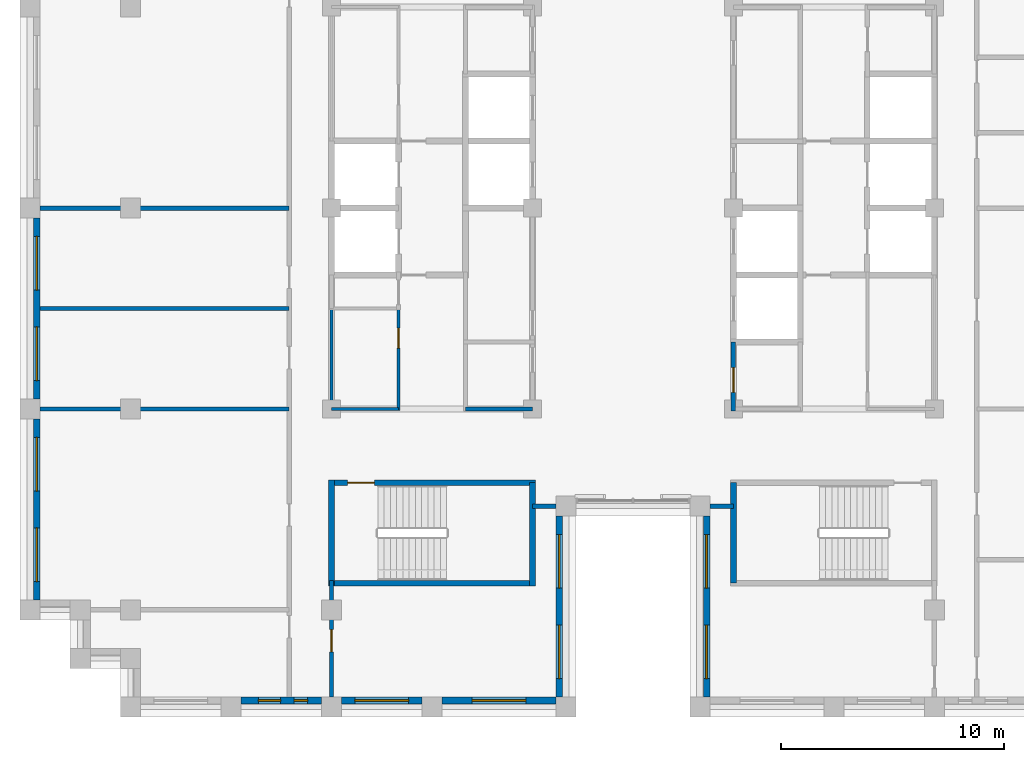
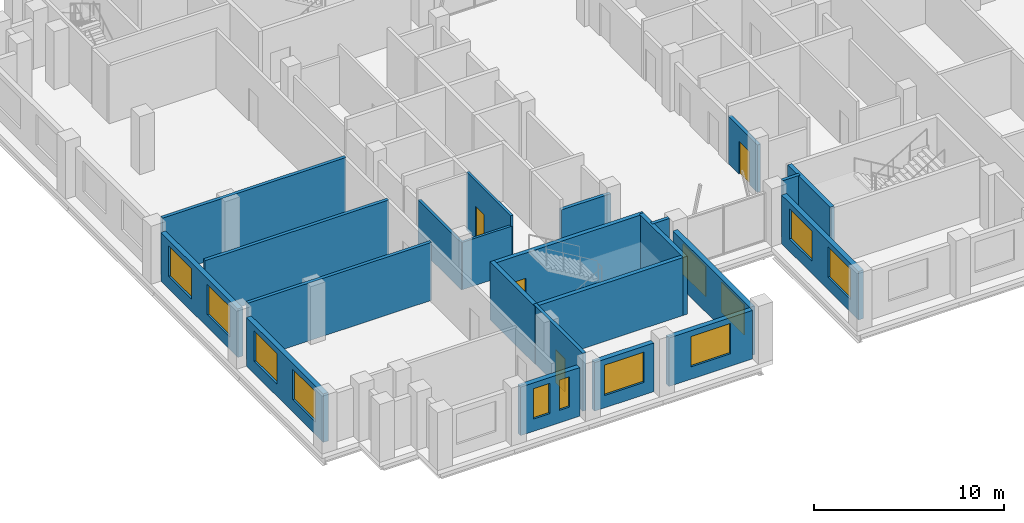
# One storey, part 6 of 13: 23 walls, 12 windows, 4 doors, 16 openings.
"""IFC4 building model written with IfcOpenShell, lengths in metres."""

from ifc_helpers import new_model, si_unit, direction, frame, frame_2d, origin, place, context, subcontext, project, spatial, rectangle, extrude, material, layer, layer_set, type_object, element, fill, save


model = new_model("IFC4")

# Units and contexts
model_context = context("Model", 3, precision=1e-05, world=origin(), true_north=direction((0.0, 1.0)))
body_context = subcontext(model_context, "Body", "Model", "MODEL_VIEW")
ifc_project = project(units=[si_unit("LENGTHUNIT", "METRE"), si_unit("AREAUNIT", "SQUARE_METRE"), si_unit("VOLUMEUNIT", "CUBIC_METRE"), si_unit("PLANEANGLEUNIT", "RADIAN"), si_unit("MASSUNIT", "GRAM", prefix="KILO")], contexts=[model_context])

# Site, building, storey
site_placement = place(None, origin())
site = spatial("IfcSite", under=ifc_project, at=site_placement, CompositionType="ELEMENT")
building_placement = place(site_placement, origin())
building = spatial("IfcBuilding", under=site, at=building_placement, Name="Corbelhall Arena Tower", CompositionType="ELEMENT")
storey_placement = place(building_placement, frame((0.0, 0.0, 286.0)))
storey = spatial("IfcBuildingStorey", under=building, at=storey_placement, Name="L62", CompositionType="ELEMENT", Elevation=286.0)

# Wall, openings, windows
ifc_material_1 = material(Name="Precast concrete C40/50 with granite facing", Category="masonry")
ifc_layer_1 = layer(ifc_material_1, 0.300048828125)
ifc_layer_set_1 = layer_set([ifc_layer_1], Name="EV-IW1 Infill panel 300")
wall_type_1 = type_object("IfcWallType", Name="EV-IW1 Infill panel 300", PredefinedType="SOLIDWALL", material=ifc_layer_set_1)
wall_1_placement = place(storey_placement, frame((-26.699951171875, -0.449951171875, 0.0), z_axis=(0.0, 0.0, 1.0), x_axis=(0.0, -1.0, 0.0)))
wall_1 = element("IfcWall", 1, at=wall_1_placement, inside=storey, type_object=wall_type_1, Name="Infill panel IW1", PredefinedType="SOLIDWALL", context=body_context, shape_type="SweptSolid", body=[
    extrude(rectangle(XDim=8.10009765625, YDim=0.300048828125, at=frame_2d((4.050048828125, 0.0))), origin(), (0.0, 0.0, 1.0), 3.1201171875),
])
opening_1_placement = place(wall_1_placement, frame((0.824951171875, 0.0, 0.800048828125)))
opening_1 = element("IfcOpeningElement", 2, at=opening_1_placement, cuts=wall_1, Name="Opening WN1", PredefinedType="OPENING", context=body_context, shape_type="SweptSolid", body=[
    extrude(rectangle(XDim=2.39990234375, YDim=1.949951171875, at=frame_2d((1.199951171875, 0.97509765625))), frame((0.0, 0.14990234375, 0.0), z_axis=(0.0, -1.0, 0.0), x_axis=(1.0, 0.0, 0.0)), (0.0, 0.0, 1.0), 0.300048828125),
])
opening_2_placement = place(wall_1_placement, frame((4.875, 0.0, 0.800048828125)))
opening_2 = element("IfcOpeningElement", 3, at=opening_2_placement, cuts=wall_1, Name="Opening WN1", PredefinedType="OPENING", context=body_context, shape_type="SweptSolid", body=[
    extrude(rectangle(XDim=2.39990234375, YDim=1.949951171875, at=frame_2d((1.199951171875, 0.97509765625))), frame((0.0, 0.14990234375, 0.0), z_axis=(0.0, -1.0, 0.0), x_axis=(1.0, 0.0, 0.0)), (0.0, 0.0, 1.0), 0.300048828125),
])
ifc_material_2 = material(Name="Aluminium black anodised", Category="aluminium")
window_type_1 = type_object("IfcWindowType", Name="EV-WN1 Office window", PartitioningType="SINGLE_PANEL", PredefinedType="WINDOW", material=ifc_material_2)
window_1_placement = place(opening_1_placement, origin())
window_1 = element("IfcWindow", 4, at=window_1_placement, inside=storey, type_object=window_type_1, Name="Window WN1", OverallHeight=1.949951171875, OverallWidth=2.39990234375, PartitioningType="SINGLE_PANEL", PredefinedType="WINDOW", context=body_context, shape_type="SweptSolid", body=[
    extrude(rectangle(XDim=2.39990234375, YDim=1.949951171875, at=frame_2d((1.199951171875, 0.97509765625))), frame((0.0, 0.030029296875, 0.0), z_axis=(0.0, -1.0, 0.0), x_axis=(1.0, 0.0, 0.0)), (0.0, 0.0, 1.0), 0.06005859375),
])
fill(opening_1, window_1)
window_2_placement = place(opening_2_placement, origin())
window_2 = element("IfcWindow", 5, at=window_2_placement, inside=storey, type_object=window_type_1, Name="Window WN1", OverallHeight=1.949951171875, OverallWidth=2.39990234375, PartitioningType="SINGLE_PANEL", PredefinedType="WINDOW", context=body_context, shape_type="SweptSolid", body=[
    extrude(rectangle(XDim=2.39990234375, YDim=1.949951171875, at=frame_2d((1.199951171875, 0.97509765625))), frame((0.0, 0.030029296875, 0.0), z_axis=(0.0, -1.0, 0.0), x_axis=(1.0, 0.0, 0.0)), (0.0, 0.0, 1.0), 0.06005859375),
])
fill(opening_2, window_2)

wall_2_placement = place(storey_placement, frame((-26.699951171875, -9.449951171875, 0.0), z_axis=(0.0, 0.0, 1.0), x_axis=(0.0, -1.0, 0.0)))
wall_2 = element("IfcWall", 6, at=wall_2_placement, inside=storey, type_object=wall_type_1, Name="Infill panel IW1", PredefinedType="SOLIDWALL", context=body_context, shape_type="SweptSolid", body=[
    extrude(rectangle(XDim=8.10009765625, YDim=0.300048828125, at=frame_2d((4.050048828125, 0.0))), origin(), (0.0, 0.0, 1.0), 3.1201171875),
])
opening_3_placement = place(wall_2_placement, frame((0.824951171875, 0.0, 0.800048828125)))
opening_3 = element("IfcOpeningElement", 7, at=opening_3_placement, cuts=wall_2, Name="Opening WN1", PredefinedType="OPENING", context=body_context, shape_type="SweptSolid", body=[
    extrude(rectangle(XDim=2.39990234375, YDim=1.949951171875, at=frame_2d((1.199951171875, 0.97509765625))), frame((0.0, 0.14990234375, 0.0), z_axis=(0.0, -1.0, 0.0), x_axis=(1.0, 0.0, 0.0)), (0.0, 0.0, 1.0), 0.300048828125),
])
opening_4_placement = place(wall_2_placement, frame((4.875, 0.0, 0.800048828125)))
opening_4 = element("IfcOpeningElement", 8, at=opening_4_placement, cuts=wall_2, Name="Opening WN1", PredefinedType="OPENING", context=body_context, shape_type="SweptSolid", body=[
    extrude(rectangle(XDim=2.39990234375, YDim=1.949951171875, at=frame_2d((1.199951171875, 0.97509765625))), frame((0.0, 0.14990234375, 0.0), z_axis=(0.0, -1.0, 0.0), x_axis=(1.0, 0.0, 0.0)), (0.0, 0.0, 1.0), 0.300048828125),
])
window_3_placement = place(opening_3_placement, origin())
window_3 = element("IfcWindow", 9, at=window_3_placement, inside=storey, type_object=window_type_1, Name="Window WN1", OverallHeight=1.949951171875, OverallWidth=2.39990234375, PartitioningType="SINGLE_PANEL", PredefinedType="WINDOW", context=body_context, shape_type="SweptSolid", body=[
    extrude(rectangle(XDim=2.39990234375, YDim=1.949951171875, at=frame_2d((1.199951171875, 0.97509765625))), frame((0.0, 0.030029296875, 0.0), z_axis=(0.0, -1.0, 0.0), x_axis=(1.0, 0.0, 0.0)), (0.0, 0.0, 1.0), 0.06005859375),
])
fill(opening_3, window_3)
window_4_placement = place(opening_4_placement, origin())
window_4 = element("IfcWindow", 10, at=window_4_placement, inside=storey, type_object=window_type_1, Name="Window WN1", OverallHeight=1.949951171875, OverallWidth=2.39990234375, PartitioningType="SINGLE_PANEL", PredefinedType="WINDOW", context=body_context, shape_type="SweptSolid", body=[
    extrude(rectangle(XDim=2.39990234375, YDim=1.949951171875, at=frame_2d((1.199951171875, 0.97509765625))), frame((0.0, 0.030029296875, 0.0), z_axis=(0.0, -1.0, 0.0), x_axis=(1.0, 0.0, 0.0)), (0.0, 0.0, 1.0), 0.06005859375),
])
fill(opening_4, window_4)

wall_3_placement = place(storey_placement, frame((-17.550048828125, -22.050048828125, 0.0), z_axis=(0.0, 0.0, 1.0), x_axis=(1.0, 0.0, 0.0)))
wall_3 = element("IfcWall", 11, at=wall_3_placement, inside=storey, type_object=wall_type_1, Name="Infill panel IW1", PredefinedType="SOLIDWALL", context=body_context, shape_type="SweptSolid", body=[
    extrude(rectangle(XDim=3.60009765625, YDim=0.300048828125, at=frame_2d((1.800048828125, 0.0))), origin(), (0.0, 0.0, 1.0), 3.1201171875),
])
opening_5_placement = place(wall_3_placement, frame((0.77490234375, 0.0, 0.800048828125)))
opening_5 = element("IfcOpeningElement", 12, at=opening_5_placement, cuts=wall_3, Name="Opening WN6", PredefinedType="OPENING", context=body_context, shape_type="SweptSolid", body=[
    extrude(rectangle(XDim=1.0, YDim=1.949951171875, at=frame_2d((0.5, 0.97509765625))), frame((0.0, 0.14990234375, 0.0), z_axis=(0.0, -1.0, 0.0), x_axis=(1.0, 0.0, 0.0)), (0.0, 0.0, 1.0), 0.300048828125),
])
opening_6_placement = place(wall_3_placement, frame((2.375, 0.0, 0.800048828125)))
opening_6 = element("IfcOpeningElement", 13, at=opening_6_placement, cuts=wall_3, Name="Opening WN5", PredefinedType="OPENING", context=body_context, shape_type="SweptSolid", body=[
    extrude(rectangle(XDim=0.60009765625, YDim=1.949951171875, at=frame_2d((0.300048828125, 0.97509765625))), frame((0.0, 0.14990234375, 0.0), z_axis=(0.0, -1.0, 0.0), x_axis=(1.0, 0.0, 0.0)), (0.0, 0.0, 1.0), 0.300048828125),
])
window_type_2 = type_object("IfcWindowType", Name="EV-WN5 Office window 600", PartitioningType="SINGLE_PANEL", PredefinedType="WINDOW", material=ifc_material_2)
window_5_placement = place(opening_6_placement, origin())
window_5 = element("IfcWindow", 14, at=window_5_placement, inside=storey, type_object=window_type_2, Name="Window WN5", OverallHeight=1.949951171875, OverallWidth=0.60009765625, PartitioningType="SINGLE_PANEL", PredefinedType="WINDOW", context=body_context, shape_type="SweptSolid", body=[
    extrude(rectangle(XDim=0.60009765625, YDim=1.949951171875, at=frame_2d((0.300048828125, 0.97509765625))), frame((0.0, 0.030029296875, 0.0), z_axis=(0.0, -1.0, 0.0), x_axis=(1.0, 0.0, 0.0)), (0.0, 0.0, 1.0), 0.06005859375),
])
fill(opening_6, window_5)
window_type_3 = type_object("IfcWindowType", Name="EV-WN6 Office window 1000", PartitioningType="SINGLE_PANEL", PredefinedType="WINDOW", material=ifc_material_2)
window_6_placement = place(opening_5_placement, origin())
window_6 = element("IfcWindow", 15, at=window_6_placement, inside=storey, type_object=window_type_3, Name="Window WN6", OverallHeight=1.949951171875, OverallWidth=1.0, PartitioningType="SINGLE_PANEL", PredefinedType="WINDOW", context=body_context, shape_type="SweptSolid", body=[
    extrude(rectangle(XDim=1.0, YDim=1.949951171875, at=frame_2d((0.5, 0.97509765625))), frame((0.0, 0.030029296875, 0.0), z_axis=(0.0, -1.0, 0.0), x_axis=(1.0, 0.0, 0.0)), (0.0, 0.0, 1.0), 0.06005859375),
])
fill(opening_5, window_6)

# Wall, opening, window
wall_4_placement = place(storey_placement, frame((-13.050048828125, -22.050048828125, 0.0), z_axis=(0.0, 0.0, 1.0), x_axis=(1.0, 0.0, 0.0)))
wall_4 = element("IfcWall", 16, at=wall_4_placement, inside=storey, type_object=wall_type_1, Name="Infill panel IW1", PredefinedType="SOLIDWALL", context=body_context, shape_type="SweptSolid", body=[
    extrude(rectangle(XDim=3.60009765625, YDim=0.300048828125, at=frame_2d((1.800048828125, 0.0))), origin(), (0.0, 0.0, 1.0), 3.1201171875),
])
opening_7_placement = place(wall_4_placement, frame((0.60009765625, 0.0, 0.800048828125)))
opening_7 = element("IfcOpeningElement", 17, at=opening_7_placement, cuts=wall_4, Name="Opening WN1", PredefinedType="OPENING", context=body_context, shape_type="SweptSolid", body=[
    extrude(rectangle(XDim=2.39990234375, YDim=1.949951171875, at=frame_2d((1.199951171875, 0.97509765625))), frame((0.0, 0.14990234375, 0.0), z_axis=(0.0, -1.0, 0.0), x_axis=(1.0, 0.0, 0.0)), (0.0, 0.0, 1.0), 0.300048828125),
])
window_7_placement = place(opening_7_placement, origin())
window_7 = element("IfcWindow", 18, at=window_7_placement, inside=storey, type_object=window_type_1, Name="Window WN1", OverallHeight=1.949951171875, OverallWidth=2.39990234375, PartitioningType="SINGLE_PANEL", PredefinedType="WINDOW", context=body_context, shape_type="SweptSolid", body=[
    extrude(rectangle(XDim=2.39990234375, YDim=1.949951171875, at=frame_2d((1.199951171875, 0.97509765625))), frame((0.0, 0.030029296875, 0.0), z_axis=(0.0, -1.0, 0.0), x_axis=(1.0, 0.0, 0.0)), (0.0, 0.0, 1.0), 0.06005859375),
])
fill(opening_7, window_7)

wall_5_placement = place(storey_placement, frame((-8.550048828125, -22.050048828125, 0.0), z_axis=(0.0, 0.0, 1.0), x_axis=(1.0, 0.0, 0.0)))
wall_5 = element("IfcWall", 19, at=wall_5_placement, inside=storey, type_object=wall_type_1, Name="Infill panel IW1", PredefinedType="SOLIDWALL", context=body_context, shape_type="SweptSolid", body=[
    extrude(rectangle(XDim=5.10009765625, YDim=0.300048828125, at=frame_2d((2.550048828125, 0.0))), origin(), (0.0, 0.0, 1.0), 3.1201171875),
])
opening_8_placement = place(wall_5_placement, frame((1.35009765625, 0.0, 0.800048828125)))
opening_8 = element("IfcOpeningElement", 20, at=opening_8_placement, cuts=wall_5, Name="Opening WN1", PredefinedType="OPENING", context=body_context, shape_type="SweptSolid", body=[
    extrude(rectangle(XDim=2.39990234375, YDim=1.949951171875, at=frame_2d((1.199951171875, 0.97509765625))), frame((0.0, 0.14990234375, 0.0), z_axis=(0.0, -1.0, 0.0), x_axis=(1.0, 0.0, 0.0)), (0.0, 0.0, 1.0), 0.300048828125),
])
window_8_placement = place(opening_8_placement, origin())
window_8 = element("IfcWindow", 21, at=window_8_placement, inside=storey, type_object=window_type_1, Name="Window WN1", OverallHeight=1.949951171875, OverallWidth=2.39990234375, PartitioningType="SINGLE_PANEL", PredefinedType="WINDOW", context=body_context, shape_type="SweptSolid", body=[
    extrude(rectangle(XDim=2.39990234375, YDim=1.949951171875, at=frame_2d((1.199951171875, 0.97509765625))), frame((0.0, 0.030029296875, 0.0), z_axis=(0.0, -1.0, 0.0), x_axis=(1.0, 0.0, 0.0)), (0.0, 0.0, 1.0), 0.06005859375),
])
fill(opening_8, window_8)

# Wall, openings, windows
wall_6_placement = place(storey_placement, frame((-3.300048828125, -21.89990234375, 0.0), z_axis=(0.0, 0.0, 1.0), x_axis=(0.0, 1.0, 0.0)))
wall_6 = element("IfcWall", 22, at=wall_6_placement, inside=storey, type_object=wall_type_1, Name="Infill panel IW1", PredefinedType="SOLIDWALL", context=body_context, shape_type="SweptSolid", body=[
    extrude(rectangle(XDim=8.099853515625, YDim=0.300048828125, at=frame_2d((4.0498046875, 0.0))), origin(), (0.0, 0.0, 1.0), 3.1201171875),
])
opening_9_placement = place(wall_6_placement, frame((0.824951171875, 0.0, 0.800048828125)))
opening_9 = element("IfcOpeningElement", 23, at=opening_9_placement, cuts=wall_6, Name="Opening WN1", PredefinedType="OPENING", context=body_context, shape_type="SweptSolid", body=[
    extrude(rectangle(XDim=2.39990234375, YDim=1.949951171875, at=frame_2d((1.199951171875, 0.97509765625))), frame((0.0, 0.14990234375, 0.0), z_axis=(0.0, -1.0, 0.0), x_axis=(1.0, 0.0, 0.0)), (0.0, 0.0, 1.0), 0.300048828125),
])
opening_10_placement = place(wall_6_placement, frame((4.875, 0.0, 0.800048828125)))
opening_10 = element("IfcOpeningElement", 24, at=opening_10_placement, cuts=wall_6, Name="Opening WN1", PredefinedType="OPENING", context=body_context, shape_type="SweptSolid", body=[
    extrude(rectangle(XDim=2.39990234375, YDim=1.949951171875, at=frame_2d((1.199951171875, 0.97509765625))), frame((0.0, 0.14990234375, 0.0), z_axis=(0.0, -1.0, 0.0), x_axis=(1.0, 0.0, 0.0)), (0.0, 0.0, 1.0), 0.300048828125),
])
window_9_placement = place(opening_9_placement, origin())
window_9 = element("IfcWindow", 25, at=window_9_placement, inside=storey, type_object=window_type_1, Name="Window WN1", OverallHeight=1.949951171875, OverallWidth=2.39990234375, PartitioningType="SINGLE_PANEL", PredefinedType="WINDOW", context=body_context, shape_type="SweptSolid", body=[
    extrude(rectangle(XDim=2.39990234375, YDim=1.949951171875, at=frame_2d((1.199951171875, 0.97509765625))), frame((0.0, 0.030029296875, 0.0), z_axis=(0.0, -1.0, 0.0), x_axis=(1.0, 0.0, 0.0)), (0.0, 0.0, 1.0), 0.06005859375),
])
fill(opening_9, window_9)
window_10_placement = place(opening_10_placement, origin())
window_10 = element("IfcWindow", 26, at=window_10_placement, inside=storey, type_object=window_type_1, Name="Window WN1", OverallHeight=1.949951171875, OverallWidth=2.39990234375, PartitioningType="SINGLE_PANEL", PredefinedType="WINDOW", context=body_context, shape_type="SweptSolid", body=[
    extrude(rectangle(XDim=2.39990234375, YDim=1.949951171875, at=frame_2d((1.199951171875, 0.97509765625))), frame((0.0, 0.030029296875, 0.0), z_axis=(0.0, -1.0, 0.0), x_axis=(1.0, 0.0, 0.0)), (0.0, 0.0, 1.0), 0.06005859375),
])
fill(opening_10, window_10)

wall_7_placement = place(storey_placement, frame((3.300048828125, -13.800048828125, 0.0), z_axis=(0.0, 0.0, 1.0), x_axis=(0.0, -1.0, 0.0)))
wall_7 = element("IfcWall", 27, at=wall_7_placement, inside=storey, type_object=wall_type_1, Name="Infill panel IW1", PredefinedType="SOLIDWALL", context=body_context, shape_type="SweptSolid", body=[
    extrude(rectangle(XDim=8.099853515625, YDim=0.300048828125, at=frame_2d((4.0498046875, 0.0))), origin(), (0.0, 0.0, 1.0), 3.1201171875),
])
opening_11_placement = place(wall_7_placement, frame((0.824951171875, 0.0, 0.800048828125)))
opening_11 = element("IfcOpeningElement", 28, at=opening_11_placement, cuts=wall_7, Name="Opening WN1", PredefinedType="OPENING", context=body_context, shape_type="SweptSolid", body=[
    extrude(rectangle(XDim=2.39990234375, YDim=1.949951171875, at=frame_2d((1.199951171875, 0.97509765625))), frame((0.0, 0.14990234375, 0.0), z_axis=(0.0, -1.0, 0.0), x_axis=(1.0, 0.0, 0.0)), (0.0, 0.0, 1.0), 0.300048828125),
])
opening_12_placement = place(wall_7_placement, frame((4.875, 0.0, 0.800048828125)))
opening_12 = element("IfcOpeningElement", 29, at=opening_12_placement, cuts=wall_7, Name="Opening WN1", PredefinedType="OPENING", context=body_context, shape_type="SweptSolid", body=[
    extrude(rectangle(XDim=2.39990234375, YDim=1.949951171875, at=frame_2d((1.199951171875, 0.97509765625))), frame((0.0, 0.14990234375, 0.0), z_axis=(0.0, -1.0, 0.0), x_axis=(1.0, 0.0, 0.0)), (0.0, 0.0, 1.0), 0.300048828125),
])
window_11_placement = place(opening_11_placement, origin())
window_11 = element("IfcWindow", 30, at=window_11_placement, inside=storey, type_object=window_type_1, Name="Window WN1", OverallHeight=1.949951171875, OverallWidth=2.39990234375, PartitioningType="SINGLE_PANEL", PredefinedType="WINDOW", context=body_context, shape_type="SweptSolid", body=[
    extrude(rectangle(XDim=2.39990234375, YDim=1.949951171875, at=frame_2d((1.199951171875, 0.97509765625))), frame((0.0, 0.030029296875, 0.0), z_axis=(0.0, -1.0, 0.0), x_axis=(1.0, 0.0, 0.0)), (0.0, 0.0, 1.0), 0.06005859375),
])
fill(opening_11, window_11)
window_12_placement = place(opening_12_placement, origin())
window_12 = element("IfcWindow", 31, at=window_12_placement, inside=storey, type_object=window_type_1, Name="Window WN1", OverallHeight=1.949951171875, OverallWidth=2.39990234375, PartitioningType="SINGLE_PANEL", PredefinedType="WINDOW", context=body_context, shape_type="SweptSolid", body=[
    extrude(rectangle(XDim=2.39990234375, YDim=1.949951171875, at=frame_2d((1.199951171875, 0.97509765625))), frame((0.0, 0.030029296875, 0.0), z_axis=(0.0, -1.0, 0.0), x_axis=(1.0, 0.0, 0.0)), (0.0, 0.0, 1.0), 0.06005859375),
])
fill(opening_12, window_12)

# Walls
ifc_material_3 = material(Name="Gypsum board on steel stud, acoustic", Category="steel")
ifc_layer_2 = layer(ifc_material_3, 0.199951171875)
ifc_layer_set_2 = layer_set([ifc_layer_2], Name="IN-W-DM200")
wall_type_2 = type_object("IfcWallType", Name="IN-W-DM200", PredefinedType="PARTITIONING", material=ifc_layer_set_2)
for number, where, z_axis, x_axis, name in (
    (32, (-26.550048828125, -9.0, 0.0), (0.0, 0.0, 1.0), (1.0, 0.0, 0.0), "Partition 001"),
    (33, (-26.550048828125, -4.5, 0.0), (0.0, 0.0, 1.0), (1.0, 0.0, 0.0), "Partition 002"),
    (34, (-15.39990234375, 0.0, 0.0), (0.0, 0.0, 1.0), (-1.0, 0.0, 0.0), "Partition 006"),
):
    element("IfcWall", number, at=place(storey_placement, frame(where, z_axis=z_axis, x_axis=x_axis)), inside=storey, type_object=wall_type_2, Name=name, PredefinedType="PARTITIONING", context=body_context, shape_type="SweptSolid", body=[
        extrude(rectangle(XDim=11.150146484375, YDim=0.199951171875, at=frame_2d((5.5751953125, 0.0))), origin(), (0.0, 0.0, 1.0), 3.719970703125),
    ])

# Wall, opening, door
wall_8_placement = place(storey_placement, frame((-13.5, -16.675048828125, 0.0), z_axis=(0.0, 0.0, 1.0), x_axis=(0.0, -1.0, 0.0)))
wall_8 = element("IfcWall", 35, at=wall_8_placement, inside=storey, type_object=wall_type_2, Name="Partition 008", PredefinedType="PARTITIONING", context=body_context, shape_type="SweptSolid", body=[
    extrude(rectangle(XDim=5.224853515625, YDim=0.199951171875, at=frame_2d((2.6123046875, 0.0))), origin(), (0.0, 0.0, 1.0), 3.719970703125),
])
opening_13_placement = place(wall_8_placement, frame((2.199951171875, 0.0, 0.0)))
opening_13 = element("IfcOpeningElement", 36, at=opening_13_placement, cuts=wall_8, Name="Opening 20021", PredefinedType="OPENING", context=body_context, shape_type="SweptSolid", body=[
    extrude(rectangle(XDim=1.0, YDim=2.10009765625, at=frame_2d((0.5, 1.050048828125))), frame((0.0, 0.10009765625, 0.0), z_axis=(0.0, -1.0, 0.0), x_axis=(1.0, 0.0, 0.0)), (0.0, 0.0, 1.0), 0.199951171875),
])
ifc_material_4 = material(Name="Steel door set", Category="steel")
door_type_1 = type_object("IfcDoorType", Name="IN-D-SW100", OperationType="NOTDEFINED", PredefinedType="DOOR", material=ifc_material_4)
door_1_placement = place(opening_13_placement, origin())
door_1 = element("IfcDoor", 37, at=door_1_placement, inside=storey, type_object=door_type_1, Name="Door 021", OperationType="SINGLE_SWING_RIGHT", OverallHeight=2.10009765625, OverallWidth=1.0, PredefinedType="DOOR", context=body_context, shape_type="SweptSolid", body=[
    extrude(rectangle(XDim=1.0, YDim=2.10009765625, at=frame_2d((0.5, 1.050048828125))), frame((0.0, 0.02490234375, 0.0), z_axis=(0.0, -1.0, 0.0), x_axis=(1.0, 0.0, 0.0)), (0.0, 0.0, 1.0), 0.050048828125),
])
fill(opening_13, door_1)

# Walls
for number, where, z_axis, x_axis, name in (
    (38, (-3.449951171875, -13.35009765625, 0.0), (0.0, 0.0, 1.0), (-1.0, 0.0, 0.0), "Partition 009"),
    (39, (4.5, -13.35009765625, 0.0), (0.0, 0.0, 1.0), (-1.0, 0.0, 0.0), "Partition 011"),
):
    element("IfcWall", number, at=place(storey_placement, frame(where, z_axis=z_axis, x_axis=x_axis)), inside=storey, type_object=wall_type_2, Name=name, PredefinedType="PARTITIONING", context=body_context, shape_type="SweptSolid", body=[
        extrude(rectangle(XDim=1.050048828125, YDim=0.199951171875, at=frame_2d((0.52490234375, 0.0))), origin(), (0.0, 0.0, 1.0), 3.719970703125),
    ])
ifc_material_5 = material(Name="Concrete block wall", Category="concrete")
ifc_layer_3 = layer(ifc_material_5, 0.199951171875)
ifc_layer_set_3 = layer_set([ifc_layer_3], Name="IN-W-RS200 under beam 678 mm")
wall_type_3 = type_object("IfcWallType", Name="IN-W-RS200 under beam 678 mm", PredefinedType="SOLIDWALL", material=ifc_layer_set_3)
wall_9_placement = place(storey_placement, frame((-4.5, -9.0, 0.0), z_axis=(0.0, 0.0, 1.0), x_axis=(-1.0, 0.0, 0.0)))
element("IfcWall", 40, at=wall_9_placement, inside=storey, type_object=wall_type_3, Name="Partition 027", PredefinedType="SOLIDWALL", context=body_context, shape_type="SweptSolid", body=[
    extrude(rectangle(XDim=3.0, YDim=0.199951171875, at=frame_2d((1.5, 0.0))), origin(), (0.0, 0.0, 1.0), 3.041748046875),
])

# Wall, opening, door
wall_10_placement = place(storey_placement, frame((4.5, -9.10009765625, 0.0), z_axis=(0.0, 0.0, 1.0), x_axis=(0.0, 1.0, 0.0)))
wall_10 = element("IfcWall", 41, at=wall_10_placement, inside=storey, type_object=wall_type_3, Name="Partition 031", PredefinedType="SOLIDWALL", context=body_context, shape_type="SweptSolid", body=[
    extrude(rectangle(XDim=3.10009765625, YDim=0.199951171875, at=frame_2d((1.550048828125, 0.0))), origin(), (0.0, 0.0, 1.0), 3.041748046875),
])
opening_14_placement = place(wall_10_placement, frame((0.85009765625, 0.0, 0.0)))
opening_14 = element("IfcOpeningElement", 42, at=opening_14_placement, cuts=wall_10, Name="Opening 20009", PredefinedType="OPENING", context=body_context, shape_type="SweptSolid", body=[
    extrude(rectangle(XDim=1.10009765625, YDim=2.10009765625, at=frame_2d((0.550048828125, 1.050048828125))), frame((0.0, 0.10009765625, 0.0), z_axis=(0.0, -1.0, 0.0), x_axis=(1.0, 0.0, 0.0)), (0.0, 0.0, 1.0), 0.199951171875),
])
door_type_2 = type_object("IfcDoorType", Name="IN-D-FD110", OperationType="NOTDEFINED", PredefinedType="DOOR", material=ifc_material_4)
door_2_placement = place(opening_14_placement, origin())
door_2 = element("IfcDoor", 43, at=door_2_placement, inside=storey, type_object=door_type_2, Name="Door 009", OperationType="SINGLE_SWING_RIGHT", OverallHeight=2.10009765625, OverallWidth=1.10009765625, PredefinedType="DOOR", context=body_context, shape_type="SweptSolid", body=[
    extrude(rectangle(XDim=1.10009765625, YDim=2.10009765625, at=frame_2d((0.550048828125, 1.050048828125))), frame((0.0, 0.02490234375, 0.0), z_axis=(0.0, -1.0, 0.0), x_axis=(1.0, 0.0, 0.0)), (0.0, 0.0, 1.0), 0.050048828125),
])
fill(opening_14, door_2)

# Walls
ifc_material_6 = material(Name="Concrete C40/50", Category="concrete")
ifc_layer_4 = layer(ifc_material_6, 0.25)
ifc_layer_set_4 = layer_set([ifc_layer_4], Name="IN-W-ST250")
wall_type_4 = type_object("IfcWallType", Name="IN-W-ST250", PredefinedType="SOLIDWALL", material=ifc_layer_set_4)
wall_11_placement = place(storey_placement, frame((-13.5, -12.175048828125, 0.0), z_axis=(0.0, 0.0, 1.0), x_axis=(0.0, -1.0, 0.0)))
element("IfcWall", 44, at=wall_11_placement, inside=storey, type_object=wall_type_4, Name="Shaft wall 059", PredefinedType="SOLIDWALL", context=body_context, shape_type="SweptSolid", body=[
    extrude(rectangle(XDim=4.75, YDim=0.25, at=frame_2d((2.375, 0.0))), origin(), (0.0, 0.0, 1.0), 3.719970703125),
])
wall_12_placement = place(storey_placement, frame((-4.5, -16.800048828125, 0.0), z_axis=(0.0, 0.0, 1.0), x_axis=(-1.0, 0.0, 0.0)))
element("IfcWall", 45, at=wall_12_placement, inside=storey, type_object=wall_type_4, Name="Shaft wall 063", PredefinedType="SOLIDWALL", context=body_context, shape_type="SweptSolid", body=[
    extrude(rectangle(XDim=9.0, YDim=0.25, at=frame_2d((4.5, 0.0))), origin(), (0.0, 0.0, 1.0), 3.719970703125),
])
wall_13_placement = place(storey_placement, frame((-4.5, -12.300048828125, 0.0), z_axis=(0.0, 0.0, 1.0), x_axis=(0.0, -1.0, 0.0)))
element("IfcWall", 46, at=wall_13_placement, inside=storey, type_object=wall_type_4, Name="Shaft wall 064", PredefinedType="SOLIDWALL", context=body_context, shape_type="SweptSolid", body=[
    extrude(rectangle(XDim=4.625, YDim=0.25, at=frame_2d((2.3125, 0.0))), origin(), (0.0, 0.0, 1.0), 3.719970703125),
])

# Wall, opening, door
wall_14_placement = place(storey_placement, frame((-4.375, -12.300048828125, 0.0), z_axis=(0.0, 0.0, 1.0), x_axis=(-1.0, 0.0, 0.0)))
wall_14 = element("IfcWall", 47, at=wall_14_placement, inside=storey, type_object=wall_type_4, Name="Shaft wall 067", PredefinedType="SOLIDWALL", context=body_context, shape_type="SweptSolid", body=[
    extrude(rectangle(XDim=9.125, YDim=0.25, at=frame_2d((4.5625, 0.0))), origin(), (0.0, 0.0, 1.0), 3.719970703125),
])
opening_15_placement = place(wall_14_placement, frame((7.199951171875, 0.0, 0.0)))
opening_15 = element("IfcOpeningElement", 48, at=opening_15_placement, cuts=wall_14, Name="Opening 20017", PredefinedType="OPENING", context=body_context, shape_type="SweptSolid", body=[
    extrude(rectangle(XDim=1.199951171875, YDim=2.10009765625, at=frame_2d((0.60009765625, 1.050048828125))), frame((0.0, 0.125, 0.0), z_axis=(0.0, -1.0, 0.0), x_axis=(1.0, 0.0, 0.0)), (0.0, 0.0, 1.0), 0.25),
])
door_type_3 = type_object("IfcDoorType", Name="IN-D-ST120", OperationType="NOTDEFINED", PredefinedType="DOOR", material=ifc_material_4)
door_3_placement = place(opening_15_placement, origin())
door_3 = element("IfcDoor", 49, at=door_3_placement, inside=storey, type_object=door_type_3, Name="Door 017", OperationType="SINGLE_SWING_RIGHT", OverallHeight=2.10009765625, OverallWidth=1.199951171875, PredefinedType="DOOR", context=body_context, shape_type="SweptSolid", body=[
    extrude(rectangle(XDim=1.199951171875, YDim=2.10009765625, at=frame_2d((0.60009765625, 1.050048828125))), frame((0.0, 0.02490234375, 0.0), z_axis=(0.0, -1.0, 0.0), x_axis=(1.0, 0.0, 0.0)), (0.0, 0.0, 1.0), 0.050048828125),
])
fill(opening_15, door_3)

# Wall
wall_15_placement = place(storey_placement, frame((4.5, -16.800048828125, 0.0), z_axis=(0.0, 0.0, 1.0), x_axis=(0.0, 1.0, 0.0)))
element("IfcWall", 50, at=wall_15_placement, inside=storey, type_object=wall_type_4, Name="Shaft wall 070", PredefinedType="SOLIDWALL", context=body_context, shape_type="SweptSolid", body=[
    extrude(rectangle(XDim=4.5, YDim=0.25, at=frame_2d((2.25, 0.0))), origin(), (0.0, 0.0, 1.0), 3.719970703125),
])

# Wall, opening, door
ifc_material_7 = material(Name="Gypsum board on steel stud, moisture resistant", Category="steel")
ifc_layer_5 = layer(ifc_material_7, 0.14990234375)
ifc_layer_set_5 = layer_set([ifc_layer_5], Name="IN-W-WC150")
wall_type_5 = type_object("IfcWallType", Name="IN-W-WC150", PredefinedType="PARTITIONING", material=ifc_layer_set_5)
wall_16_placement = place(storey_placement, frame((-10.5, -9.074951171875, 0.0), z_axis=(0.0, 0.0, 1.0), x_axis=(0.0, 1.0, 0.0)))
wall_16 = element("IfcWall", 51, at=wall_16_placement, inside=storey, type_object=wall_type_5, Name="Partition 080", PredefinedType="PARTITIONING", context=body_context, shape_type="SweptSolid", body=[
    extrude(rectangle(XDim=4.64990234375, YDim=0.14990234375, at=frame_2d((2.324951171875, 0.0))), origin(), (0.0, 0.0, 1.0), 3.719970703125),
])
opening_16_placement = place(wall_16_placement, frame((2.800048828125, 0.0, 0.0)))
opening_16 = element("IfcOpeningElement", 52, at=opening_16_placement, cuts=wall_16, Name="Opening 20006", PredefinedType="OPENING", context=body_context, shape_type="SweptSolid", body=[
    extrude(rectangle(XDim=0.89990234375, YDim=2.10009765625, at=frame_2d((0.449951171875, 1.050048828125))), frame((0.0, 0.074951171875, 0.0), z_axis=(0.0, -1.0, 0.0), x_axis=(1.0, 0.0, 0.0)), (0.0, 0.0, 1.0), 0.14990234375),
])
ifc_material_8 = material(Name="Timber door set", Category="wood")
door_type_4 = type_object("IfcDoorType", Name="IN-D-SW90", OperationType="NOTDEFINED", PredefinedType="DOOR", material=ifc_material_8)
door_4_placement = place(opening_16_placement, origin())
door_4 = element("IfcDoor", 53, at=door_4_placement, inside=storey, type_object=door_type_4, Name="Door 006", OperationType="SINGLE_SWING_LEFT", OverallHeight=2.10009765625, OverallWidth=0.89990234375, PredefinedType="DOOR", context=body_context, shape_type="SweptSolid", body=[
    extrude(rectangle(XDim=0.89990234375, YDim=2.10009765625, at=frame_2d((0.449951171875, 1.050048828125))), frame((0.0, 0.02490234375, 0.0), z_axis=(0.0, -1.0, 0.0), x_axis=(1.0, 0.0, 0.0)), (0.0, 0.0, 1.0), 0.050048828125),
])
fill(opening_16, door_4)

# Walls
ifc_layer_6 = layer(ifc_material_7, 0.14990234375)
ifc_layer_set_6 = layer_set([ifc_layer_6], Name="IN-W-WC150 under beam 678 mm")
wall_type_6 = type_object("IfcWallType", Name="IN-W-WC150 under beam 678 mm", PredefinedType="PARTITIONING", material=ifc_layer_set_6)
wall_17_placement = place(storey_placement, frame((-13.5, -9.074951171875, 0.0), z_axis=(0.0, 0.0, 1.0), x_axis=(0.0, 1.0, 0.0)))
element("IfcWall", 54, at=wall_17_placement, inside=storey, type_object=wall_type_6, Name="Partition 077", PredefinedType="PARTITIONING", context=body_context, shape_type="SweptSolid", body=[
    extrude(rectangle(XDim=4.574951171875, YDim=0.14990234375, at=frame_2d((2.28759765625, 0.0))), origin(), (0.0, 0.0, 1.0), 3.041748046875),
])
wall_18_placement = place(storey_placement, frame((-10.5, -9.0, 0.0), z_axis=(0.0, 0.0, 1.0), x_axis=(-1.0, 0.0, 0.0)))
element("IfcWall", 55, at=wall_18_placement, inside=storey, type_object=wall_type_6, Name="Partition 081", PredefinedType="PARTITIONING", context=body_context, shape_type="SweptSolid", body=[
    extrude(rectangle(XDim=3.0, YDim=0.14990234375, at=frame_2d((1.5, 0.0))), origin(), (0.0, 0.0, 1.0), 3.041748046875),
])

save(model, "model.ifc")
